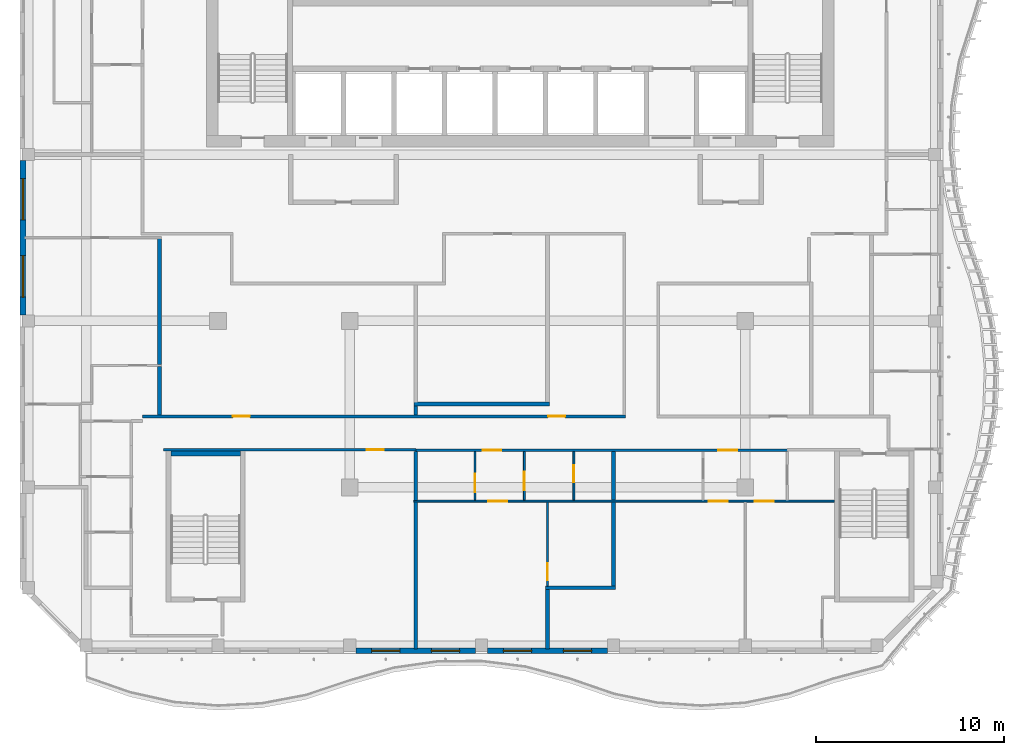
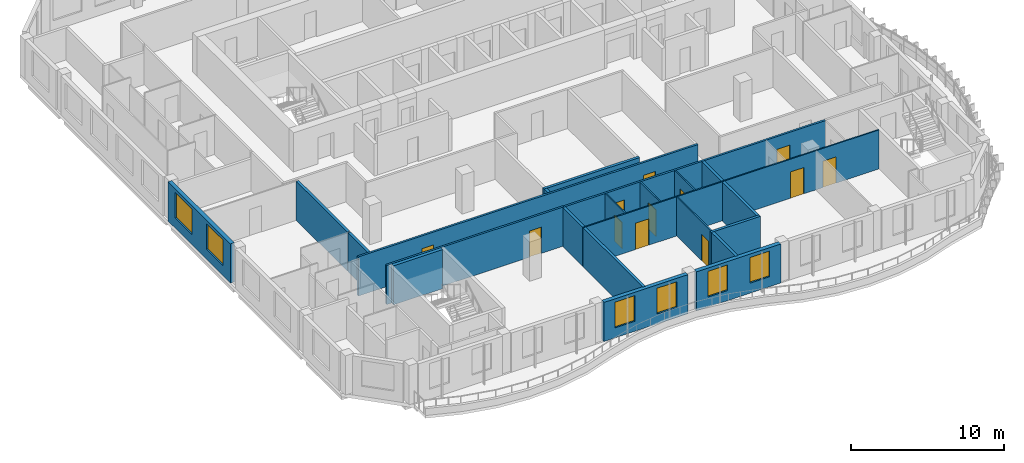
# One storey, part 3 of 18: 22 walls, 12 doors, 6 windows, 18 openings.
"""IFC4 building model written with IfcOpenShell, lengths in metres."""

from ifc_helpers import new_model, si_unit, direction, frame, frame_2d, origin, place, context, subcontext, project, spatial, rectangle, extrude, source, transform, mapped, material, layer, layer_set, type_object, element, fill, save


model = new_model("IFC4")

# Units and contexts
model_context = context("Model", 3, precision=1e-05, world=origin(), true_north=direction((0.0, 1.0)))
body_context = subcontext(model_context, "Body", "Model", "MODEL_VIEW")
ifc_project = project(units=[si_unit("LENGTHUNIT", "METRE"), si_unit("AREAUNIT", "SQUARE_METRE"), si_unit("VOLUMEUNIT", "CUBIC_METRE"), si_unit("PLANEANGLEUNIT", "RADIAN"), si_unit("MASSUNIT", "GRAM", prefix="KILO")], contexts=[model_context])

# Site, building, storey
site_placement = place(None, origin())
site = spatial("IfcSite", under=ifc_project, at=site_placement, CompositionType="ELEMENT")
building_placement = place(site_placement, origin())
building = spatial("IfcBuilding", under=site, at=building_placement, Name="Kilnfold Tower and Market Hall", CompositionType="ELEMENT")
storey_placement = place(building_placement, frame((0.0, 0.0, 270.39990234375)))
storey = spatial("IfcBuildingStorey", under=building, at=storey_placement, Name="L66", CompositionType="ELEMENT", Elevation=270.39990234375)

# Wall, openings, doors
ifc_material_1 = material(Name="Gypsum board on steel studs", Category="steel")
ifc_layer_1 = layer(ifc_material_1, 0.14990234375)
ifc_layer_set_1 = layer_set([ifc_layer_1], Name="Gypsum board on steel studs")
wall_type_1 = type_object("IfcWallType", Name="WALL CORRIDOR 150", PredefinedType="PARTITIONING", material=ifc_layer_set_1)
wall_1_placement = place(storey_placement, frame((-19.0, -5.89990234375, 0.0), z_axis=(0.0, 0.0, 1.0), x_axis=(1.0, 0.0, 0.0)))
wall_1 = element("IfcWall", 1, at=wall_1_placement, inside=storey, type_object=wall_type_1, Name="Partition LY41.6", PredefinedType="PARTITIONING", context=body_context, shape_type="SweptSolid", body=[
    extrude(rectangle(XDim=25.655029296875, YDim=0.14990234375, at=frame_2d((12.82763671875, 0.0))), origin(), (0.0, 0.0, 1.0), 3.1201171875),
])
opening_1_placement = place(wall_1_placement, frame((4.7958984375, 0.0, 0.0)))
opening_1 = element("IfcOpeningElement", 2, at=opening_1_placement, cuts=wall_1, Name="Opening D2", PredefinedType="OPENING", context=body_context, shape_type="SweptSolid", body=[
    extrude(rectangle(XDim=0.89990234375, YDim=2.10009765625, at=frame_2d((0.449951171875, 1.050048828125))), frame((0.0, 0.0849609375, 0.0), z_axis=(0.0, -1.0, 0.0), x_axis=(1.0, 0.0, 0.0)), (0.0, 0.0, 1.0), 0.169921875),
])
opening_2_placement = place(wall_1_placement, frame((21.534912109375, 0.0, 0.0)))
opening_2 = element("IfcOpeningElement", 3, at=opening_2_placement, cuts=wall_1, Name="Opening D2", PredefinedType="OPENING", context=body_context, shape_type="SweptSolid", body=[
    extrude(rectangle(XDim=0.89990234375, YDim=2.10009765625, at=frame_2d((0.449951171875, 1.050048828125))), frame((0.0, 0.0849609375, 0.0), z_axis=(0.0, -1.0, 0.0), x_axis=(1.0, 0.0, 0.0)), (0.0, 0.0, 1.0), 0.169921875),
])
ifc_material_2 = material(Name="Timber veneer door leaf in steel frame", Category="steel")
door_type_1 = type_object("IfcDoorType", Name="DOOR ROOM 900 X2100", OperationType="NOTDEFINED", PredefinedType="DOOR", material=ifc_material_2)
door_1_placement = place(opening_1_placement, origin())
door_1 = element("IfcDoor", 4, at=door_1_placement, inside=storey, type_object=door_type_1, Name="Door D2", OperationType="SINGLE_SWING_LEFT", OverallHeight=2.10009765625, OverallWidth=0.89990234375, PredefinedType="DOOR", context=body_context, shape_type="SweptSolid", body=[
    extrude(rectangle(XDim=0.89990234375, YDim=2.10009765625, at=frame_2d((0.449951171875, 1.050048828125))), frame((0.0, 0.02490234375, 0.0), z_axis=(0.0, -1.0, 0.0), x_axis=(1.0, 0.0, 0.0)), (0.0, 0.0, 1.0), 0.050048828125),
])
fill(opening_1, door_1)
door_2_placement = place(opening_2_placement, origin())
door_2 = element("IfcDoor", 5, at=door_2_placement, inside=storey, type_object=door_type_1, Name="Door D2", OperationType="SINGLE_SWING_LEFT", OverallHeight=2.10009765625, OverallWidth=0.89990234375, PredefinedType="DOOR", context=body_context, shape_type="SweptSolid", body=[
    extrude(rectangle(XDim=0.89990234375, YDim=2.10009765625, at=frame_2d((0.449951171875, 1.050048828125))), frame((0.0, 0.02490234375, 0.0), z_axis=(0.0, -1.0, 0.0), x_axis=(1.0, 0.0, 0.0)), (0.0, 0.0, 1.0), 0.050048828125),
])
fill(opening_2, door_2)

# Wall, opening, door
wall_2_placement = place(storey_placement, frame((-17.875, -7.669921875, 0.0), z_axis=(0.0, 0.0, 1.0), x_axis=(1.0, 0.0, 0.0)))
wall_2 = element("IfcWall", 6, at=wall_2_placement, inside=storey, type_object=wall_type_1, Name="Partition LY41.9", PredefinedType="PARTITIONING", context=body_context, shape_type="SweptSolid", body=[
    extrude(rectangle(XDim=13.385009765625, YDim=0.14990234375, at=frame_2d((6.6923828125, 0.0))), origin(), (0.0, 0.0, 1.0), 3.1201171875),
])
opening_3_placement = place(wall_2_placement, frame((10.77392578125, 0.0, 0.0)))
opening_3 = element("IfcOpeningElement", 7, at=opening_3_placement, cuts=wall_2, Name="Opening D2", PredefinedType="OPENING", context=body_context, shape_type="SweptSolid", body=[
    extrude(rectangle(XDim=0.89990234375, YDim=2.10009765625, at=frame_2d((0.449951171875, 1.050048828125))), frame((0.0, 0.0849609375, 0.0), z_axis=(0.0, -1.0, 0.0), x_axis=(1.0, 0.0, 0.0)), (0.0, 0.0, 1.0), 0.169921875),
])
door_3_placement = place(opening_3_placement, origin())
door_3 = element("IfcDoor", 8, at=door_3_placement, inside=storey, type_object=door_type_1, Name="Door D2", OperationType="SINGLE_SWING_RIGHT", OverallHeight=2.10009765625, OverallWidth=0.89990234375, PredefinedType="DOOR", context=body_context, shape_type="SweptSolid", body=[
    extrude(rectangle(XDim=0.89990234375, YDim=2.10009765625, at=frame_2d((0.449951171875, 1.050048828125))), frame((0.0, 0.02490234375, 0.0), z_axis=(0.0, -1.0, 0.0), x_axis=(1.0, 0.0, 0.0)), (0.0, 0.0, 1.0), 0.050048828125),
])
fill(opening_3, door_3)

# Wall, openings, doors
wall_3_placement = place(storey_placement, frame((-4.510009765625, -7.699951171875, 0.0), z_axis=(0.0, 0.0, 1.0), x_axis=(1.0, 0.0, 0.0)))
wall_3 = element("IfcWall", 9, at=wall_3_placement, inside=storey, type_object=wall_type_1, Name="Partition LY41.15", PredefinedType="PARTITIONING", context=body_context, shape_type="SweptSolid", body=[
    extrude(rectangle(XDim=19.760009765625, YDim=0.14990234375, at=frame_2d((9.8798828125, 0.0))), origin(), (0.0, 0.0, 1.0), 3.1201171875),
])
opening_4_placement = place(wall_3_placement, frame((3.56591796875, 0.0, 0.0)))
opening_4 = element("IfcOpeningElement", 10, at=opening_4_placement, cuts=wall_3, Name="Opening D1", PredefinedType="OPENING", context=body_context, shape_type="SweptSolid", body=[
    extrude(rectangle(XDim=1.0, YDim=2.10009765625, at=frame_2d((0.5, 1.050048828125))), frame((0.0, 0.0849609375, 0.0), z_axis=(0.0, -1.0, 0.0), x_axis=(1.0, 0.0, 0.0)), (0.0, 0.0, 1.0), 0.169921875),
])
opening_5_placement = place(wall_3_placement, frame((16.080078125, 0.0, 0.0)))
opening_5 = element("IfcOpeningElement", 11, at=opening_5_placement, cuts=wall_3, Name="Opening D1", PredefinedType="OPENING", context=body_context, shape_type="SweptSolid", body=[
    extrude(rectangle(XDim=1.0, YDim=2.10009765625, at=frame_2d((0.5, 1.050048828125))), frame((0.0, 0.0849609375, 0.0), z_axis=(0.0, -1.0, 0.0), x_axis=(1.0, 0.0, 0.0)), (0.0, 0.0, 1.0), 0.169921875),
])
ifc_material_3 = material(Name="Timber veneer door leaf in steel frame", Category="steel")
door_type_2 = type_object("IfcDoorType", Name="DOOR ENTRY 1000 X2100", OperationType="NOTDEFINED", PredefinedType="DOOR", material=ifc_material_3)
door_4_placement = place(opening_4_placement, origin())
door_4 = element("IfcDoor", 12, at=door_4_placement, inside=storey, type_object=door_type_2, Name="Door D1", OperationType="SINGLE_SWING_LEFT", OverallHeight=2.10009765625, OverallWidth=1.0, PredefinedType="DOOR", context=body_context, shape_type="SweptSolid", body=[
    extrude(rectangle(XDim=1.0, YDim=2.10009765625, at=frame_2d((0.5, 1.050048828125))), frame((0.0, 0.02490234375, 0.0), z_axis=(0.0, -1.0, 0.0), x_axis=(1.0, 0.0, 0.0)), (0.0, 0.0, 1.0), 0.050048828125),
])
fill(opening_4, door_4)
door_5_placement = place(opening_5_placement, origin())
door_5 = element("IfcDoor", 13, at=door_5_placement, inside=storey, type_object=door_type_2, Name="Door D1", OperationType="SINGLE_SWING_LEFT", OverallHeight=2.10009765625, OverallWidth=1.0, PredefinedType="DOOR", context=body_context, shape_type="SweptSolid", body=[
    extrude(rectangle(XDim=1.0, YDim=2.10009765625, at=frame_2d((0.5, 1.050048828125))), frame((0.0, 0.02490234375, 0.0), z_axis=(0.0, -1.0, 0.0), x_axis=(1.0, 0.0, 0.0)), (0.0, 0.0, 1.0), 0.050048828125),
])
fill(opening_5, door_5)

# Wall, opening, door
ifc_material_4 = material(Name="Gypsum board on steel studs", Category="steel")
ifc_layer_2 = layer(ifc_material_4, 0.10009765625)
ifc_layer_set_2 = layer_set([ifc_layer_2], Name="Gypsum board on steel studs")
wall_type_2 = type_object("IfcWallType", Name="WALL PARTITION 100", PredefinedType="PARTITIONING", material=ifc_layer_set_2)
wall_4_placement = place(storey_placement, frame((-1.35009765625, -10.35009765625, 0.0), z_axis=(0.0, 0.0, 1.0), x_axis=(0.0, 1.0, 0.0)))
wall_4 = element("IfcWall", 14, at=wall_4_placement, inside=storey, type_object=wall_type_2, Name="Partition LY41.57", PredefinedType="PARTITIONING", context=body_context, shape_type="SweptSolid", body=[
    extrude(rectangle(XDim=2.572998046875, YDim=0.10009765625, at=frame_2d((1.28662109375, 0.0))), origin(), (0.0, 0.0, 1.0), 3.1201171875),
])
opening_6_placement = place(wall_4_placement, frame((0.4130859375, 0.0, 0.0)))
opening_6 = element("IfcOpeningElement", 15, at=opening_6_placement, cuts=wall_4, Name="Opening D1", PredefinedType="OPENING", context=body_context, shape_type="SweptSolid", body=[
    extrude(rectangle(XDim=1.0, YDim=2.10009765625, at=frame_2d((0.5, 1.050048828125))), frame((0.0, 0.06005859375, 0.0), z_axis=(0.0, -1.0, 0.0), x_axis=(1.0, 0.0, 0.0)), (0.0, 0.0, 1.0), 0.1201171875),
])
door_6_placement = place(opening_6_placement, origin())
door_6 = element("IfcDoor", 16, at=door_6_placement, inside=storey, type_object=door_type_2, Name="Door D1", OperationType="SINGLE_SWING_RIGHT", OverallHeight=2.10009765625, OverallWidth=1.0, PredefinedType="DOOR", context=body_context, shape_type="SweptSolid", body=[
    extrude(rectangle(XDim=1.0, YDim=2.10009765625, at=frame_2d((0.5, 1.050048828125))), frame((0.0, 0.02490234375, 0.0), z_axis=(0.0, -1.0, 0.0), x_axis=(1.0, 0.0, 0.0)), (0.0, 0.0, 1.0), 0.050048828125),
])
fill(opening_6, door_6)

# Wall, openings, doors
wall_5_placement = place(storey_placement, frame((-4.60009765625, -10.39990234375, 0.0), z_axis=(0.0, 0.0, 1.0), x_axis=(1.0, 0.0, 0.0)))
wall_5 = element("IfcWall", 17, at=wall_5_placement, inside=storey, type_object=wall_type_2, Name="Partition LY41.58", PredefinedType="PARTITIONING", context=body_context, shape_type="SweptSolid", body=[
    extrude(rectangle(XDim=22.35009765625, YDim=0.10009765625, at=frame_2d((11.175048828125, 0.0))), origin(), (0.0, 0.0, 1.0), 3.1201171875),
])
opening_7_placement = place(wall_5_placement, frame((3.9599609375, 0.0, 0.0)))
opening_7 = element("IfcOpeningElement", 18, at=opening_7_placement, cuts=wall_5, Name="Opening D1", PredefinedType="OPENING", context=body_context, shape_type="SweptSolid", body=[
    extrude(rectangle(XDim=1.0, YDim=2.10009765625, at=frame_2d((0.5, 1.050048828125))), frame((0.0, 0.06005859375, 0.0), z_axis=(0.0, -1.0, 0.0), x_axis=(1.0, 0.0, 0.0)), (0.0, 0.0, 1.0), 0.1201171875),
])
opening_8_placement = place(wall_5_placement, frame((15.666015625, 0.0, 0.0)))
opening_8 = element("IfcOpeningElement", 19, at=opening_8_placement, cuts=wall_5, Name="Opening D1", PredefinedType="OPENING", context=body_context, shape_type="SweptSolid", body=[
    extrude(rectangle(XDim=1.0, YDim=2.10009765625, at=frame_2d((0.5, 1.050048828125))), frame((0.0, 0.06005859375, 0.0), z_axis=(0.0, -1.0, 0.0), x_axis=(1.0, 0.0, 0.0)), (0.0, 0.0, 1.0), 0.1201171875),
])
opening_9_placement = place(wall_5_placement, frame((18.10888671875, 0.0, 0.0)))
opening_9 = element("IfcOpeningElement", 20, at=opening_9_placement, cuts=wall_5, Name="Opening D1", PredefinedType="OPENING", context=body_context, shape_type="SweptSolid", body=[
    extrude(rectangle(XDim=1.0, YDim=2.10009765625, at=frame_2d((0.5, 1.050048828125))), frame((0.0, 0.06005859375, 0.0), z_axis=(0.0, -1.0, 0.0), x_axis=(1.0, 0.0, 0.0)), (0.0, 0.0, 1.0), 0.1201171875),
])
door_7_placement = place(opening_7_placement, origin())
door_7 = element("IfcDoor", 21, at=door_7_placement, inside=storey, type_object=door_type_2, Name="Door D1", OperationType="SINGLE_SWING_RIGHT", OverallHeight=2.10009765625, OverallWidth=1.0, PredefinedType="DOOR", context=body_context, shape_type="SweptSolid", body=[
    extrude(rectangle(XDim=1.0, YDim=2.10009765625, at=frame_2d((0.5, 1.050048828125))), frame((0.0, 0.02490234375, 0.0), z_axis=(0.0, -1.0, 0.0), x_axis=(1.0, 0.0, 0.0)), (0.0, 0.0, 1.0), 0.050048828125),
])
fill(opening_7, door_7)
door_8_placement = place(opening_8_placement, origin())
door_8 = element("IfcDoor", 22, at=door_8_placement, inside=storey, type_object=door_type_2, Name="Door D1", OperationType="SINGLE_SWING_RIGHT", OverallHeight=2.10009765625, OverallWidth=1.0, PredefinedType="DOOR", context=body_context, shape_type="SweptSolid", body=[
    extrude(rectangle(XDim=1.0, YDim=2.10009765625, at=frame_2d((0.5, 1.050048828125))), frame((0.0, 0.02490234375, 0.0), z_axis=(0.0, -1.0, 0.0), x_axis=(1.0, 0.0, 0.0)), (0.0, 0.0, 1.0), 0.050048828125),
])
fill(opening_8, door_8)
door_9_placement = place(opening_9_placement, origin())
door_9 = element("IfcDoor", 23, at=door_9_placement, inside=storey, type_object=door_type_2, Name="Door D1", OperationType="SINGLE_SWING_RIGHT", OverallHeight=2.10009765625, OverallWidth=1.0, PredefinedType="DOOR", context=body_context, shape_type="SweptSolid", body=[
    extrude(rectangle(XDim=1.0, YDim=2.10009765625, at=frame_2d((0.5, 1.050048828125))), frame((0.0, 0.02490234375, 0.0), z_axis=(0.0, -1.0, 0.0), x_axis=(1.0, 0.0, 0.0)), (0.0, 0.0, 1.0), 0.050048828125),
])
fill(opening_9, door_9)

# Wall, opening, door
wall_6_placement = place(storey_placement, frame((1.27490234375, -10.35009765625, 0.0), z_axis=(0.0, 0.0, 1.0), x_axis=(0.0, 1.0, 0.0)))
wall_6 = element("IfcWall", 24, at=wall_6_placement, inside=storey, type_object=wall_type_2, Name="Partition LY41.59", PredefinedType="PARTITIONING", context=body_context, shape_type="SweptSolid", body=[
    extrude(rectangle(XDim=2.572998046875, YDim=0.10009765625, at=frame_2d((1.28662109375, 0.0))), origin(), (0.0, 0.0, 1.0), 3.1201171875),
])
opening_10_placement = place(wall_6_placement, frame((0.52001953125, 0.0, 0.0)))
opening_10 = element("IfcOpeningElement", 25, at=opening_10_placement, cuts=wall_6, Name="Opening D1", PredefinedType="OPENING", context=body_context, shape_type="SweptSolid", body=[
    extrude(rectangle(XDim=1.0, YDim=2.10009765625, at=frame_2d((0.5, 1.050048828125))), frame((0.0, 0.06005859375, 0.0), z_axis=(0.0, -1.0, 0.0), x_axis=(1.0, 0.0, 0.0)), (0.0, 0.0, 1.0), 0.1201171875),
])
door_10_placement = place(opening_10_placement, origin())
door_10 = element("IfcDoor", 26, at=door_10_placement, inside=storey, type_object=door_type_2, Name="Door D1", OperationType="SINGLE_SWING_RIGHT", OverallHeight=2.10009765625, OverallWidth=1.0, PredefinedType="DOOR", context=body_context, shape_type="SweptSolid", body=[
    extrude(rectangle(XDim=1.0, YDim=2.10009765625, at=frame_2d((0.5, 1.050048828125))), frame((0.0, 0.02490234375, 0.0), z_axis=(0.0, -1.0, 0.0), x_axis=(1.0, 0.0, 0.0)), (0.0, 0.0, 1.0), 0.050048828125),
])
fill(opening_10, door_10)

wall_7_placement = place(storey_placement, frame((3.89990234375, -10.35009765625, 0.0), z_axis=(0.0, 0.0, 1.0), x_axis=(0.0, 1.0, 0.0)))
wall_7 = element("IfcWall", 27, at=wall_7_placement, inside=storey, type_object=wall_type_2, Name="Partition LY41.60", PredefinedType="PARTITIONING", context=body_context, shape_type="SweptSolid", body=[
    extrude(rectangle(XDim=2.572998046875, YDim=0.10009765625, at=frame_2d((1.28662109375, 0.0))), origin(), (0.0, 0.0, 1.0), 3.1201171875),
])
opening_11_placement = place(wall_7_placement, frame((0.943115234375, 0.0, 0.0)))
opening_11 = element("IfcOpeningElement", 28, at=opening_11_placement, cuts=wall_7, Name="Opening D2", PredefinedType="OPENING", context=body_context, shape_type="SweptSolid", body=[
    extrude(rectangle(XDim=0.89990234375, YDim=2.10009765625, at=frame_2d((0.449951171875, 1.050048828125))), frame((0.0, 0.06005859375, 0.0), z_axis=(0.0, -1.0, 0.0), x_axis=(1.0, 0.0, 0.0)), (0.0, 0.0, 1.0), 0.1201171875),
])
door_11_placement = place(opening_11_placement, origin())
door_11 = element("IfcDoor", 29, at=door_11_placement, inside=storey, type_object=door_type_1, Name="Door D2", OperationType="SINGLE_SWING_RIGHT", OverallHeight=2.10009765625, OverallWidth=0.89990234375, PredefinedType="DOOR", context=body_context, shape_type="SweptSolid", body=[
    extrude(rectangle(XDim=0.89990234375, YDim=2.10009765625, at=frame_2d((0.449951171875, 1.050048828125))), frame((0.0, 0.02490234375, 0.0), z_axis=(0.0, -1.0, 0.0), x_axis=(1.0, 0.0, 0.0)), (0.0, 0.0, 1.0), 0.050048828125),
])
fill(opening_11, door_11)

wall_8_placement = place(storey_placement, frame((2.5, -14.909912109375, 0.0), z_axis=(0.0, 0.0, 1.0), x_axis=(0.0, 1.0, 0.0)))
wall_8 = element("IfcWall", 30, at=wall_8_placement, inside=storey, type_object=wall_type_2, Name="Partition LY41.62", PredefinedType="PARTITIONING", context=body_context, shape_type="SweptSolid", body=[
    extrude(rectangle(XDim=4.4580078125, YDim=0.10009765625, at=frame_2d((2.22900390625, 0.0))), origin(), (0.0, 0.0, 1.0), 3.1201171875),
])
opening_12_placement = place(wall_8_placement, frame((0.302001953125, 0.0, 0.0)))
opening_12 = element("IfcOpeningElement", 31, at=opening_12_placement, cuts=wall_8, Name="Opening D2", PredefinedType="OPENING", context=body_context, shape_type="SweptSolid", body=[
    extrude(rectangle(XDim=0.89990234375, YDim=2.10009765625, at=frame_2d((0.449951171875, 1.050048828125))), frame((0.0, 0.06005859375, 0.0), z_axis=(0.0, -1.0, 0.0), x_axis=(1.0, 0.0, 0.0)), (0.0, 0.0, 1.0), 0.1201171875),
])
door_12_placement = place(opening_12_placement, origin())
door_12 = element("IfcDoor", 32, at=door_12_placement, inside=storey, type_object=door_type_1, Name="Door D2", OperationType="SINGLE_SWING_RIGHT", OverallHeight=2.10009765625, OverallWidth=0.89990234375, PredefinedType="DOOR", context=body_context, shape_type="SweptSolid", body=[
    extrude(rectangle(XDim=0.89990234375, YDim=2.10009765625, at=frame_2d((0.449951171875, 1.050048828125))), frame((0.0, 0.02490234375, 0.0), z_axis=(0.0, -1.0, 0.0), x_axis=(1.0, 0.0, 0.0)), (0.0, 0.0, 1.0), 0.050048828125),
])
fill(opening_12, door_12)

# Walls
ifc_material_5 = material(Name="Gypsum board on steel studs", Category="steel")
ifc_layer_3 = layer(ifc_material_5, 0.199951171875)
ifc_layer_set_3 = layer_set([ifc_layer_3], Name="Gypsum board on steel studs")
wall_type_3 = type_object("IfcWallType", Name="WALL PARTY 200", PredefinedType="PARTITIONING", material=ifc_layer_set_3)
wall_9_placement = place(storey_placement, frame((-18.10009765625, -5.822998046875, 0.0), z_axis=(0.0, 0.0, 1.0), x_axis=(0.0, 1.0, 0.0)))
element("IfcWall", 33, at=wall_9_placement, inside=storey, type_object=wall_type_3, Name="Partition LY41.49", PredefinedType="PARTITIONING", context=body_context, shape_type="SweptSolid", body=[
    extrude(rectangle(XDim=2.572998046875, YDim=0.199951171875, at=frame_2d((1.28662109375, 0.0))), origin(), (0.0, 0.0, 1.0), 3.1201171875),
])
wall_10_placement = place(storey_placement, frame((-18.10009765625, -3.14794921875, 0.0), z_axis=(0.0, 0.0, 1.0), x_axis=(0.0, 1.0, 0.0)))
element("IfcWall", 34, at=wall_10_placement, inside=storey, type_object=wall_type_3, Name="Partition LY41.53", PredefinedType="PARTITIONING", context=body_context, shape_type="SweptSolid", body=[
    extrude(rectangle(XDim=6.680908203125, YDim=0.199951171875, at=frame_2d((3.34033203125, 0.0))), origin(), (0.0, 0.0, 1.0), 3.1201171875),
])
wall_11_placement = place(storey_placement, frame((-4.5, -10.360107421875, 0.0), z_axis=(0.0, 0.0, 1.0), x_axis=(0.0, 1.0, 0.0)))
element("IfcWall", 35, at=wall_11_placement, inside=storey, type_object=wall_type_3, Name="Partition LY41.55", PredefinedType="PARTITIONING", context=body_context, shape_type="SweptSolid", body=[
    extrude(rectangle(XDim=2.5830078125, YDim=0.199951171875, at=frame_2d((1.29150390625, 0.0))), origin(), (0.0, 0.0, 1.0), 3.1201171875),
])
wall_12_placement = place(storey_placement, frame((-4.5, -18.25, 0.0), z_axis=(0.0, 0.0, 1.0), x_axis=(0.0, 1.0, 0.0)))
element("IfcWall", 36, at=wall_12_placement, inside=storey, type_object=wall_type_3, Name="Partition LY41.56", PredefinedType="PARTITIONING", context=body_context, shape_type="SweptSolid", body=[
    extrude(rectangle(XDim=7.80810546875, YDim=0.199951171875, at=frame_2d((3.904052734375, 0.0))), origin(), (0.0, 0.0, 1.0), 3.1201171875),
])
wall_13_placement = place(storey_placement, frame((6.0, -10.35009765625, 0.0), z_axis=(0.0, 0.0, 1.0), x_axis=(0.0, 1.0, 0.0)))
element("IfcWall", 37, at=wall_13_placement, inside=storey, type_object=wall_type_3, Name="Partition LY41.61", PredefinedType="PARTITIONING", context=body_context, shape_type="SweptSolid", body=[
    extrude(rectangle(XDim=2.572998046875, YDim=0.199951171875, at=frame_2d((1.28662109375, 0.0))), origin(), (0.0, 0.0, 1.0), 3.1201171875),
])
wall_14_placement = place(storey_placement, frame((2.5, -18.25, 0.0), z_axis=(0.0, 0.0, 1.0), x_axis=(0.0, 1.0, 0.0)))
element("IfcWall", 38, at=wall_14_placement, inside=storey, type_object=wall_type_3, Name="Partition LY41.63", PredefinedType="PARTITIONING", context=body_context, shape_type="SweptSolid", body=[
    extrude(rectangle(XDim=3.159912109375, YDim=0.199951171875, at=frame_2d((1.580078125, 0.0))), origin(), (0.0, 0.0, 1.0), 3.1201171875),
])
wall_15_placement = place(storey_placement, frame((2.39990234375, -15.0, 0.0), z_axis=(0.0, 0.0, 1.0), x_axis=(1.0, 0.0, 0.0)))
element("IfcWall", 39, at=wall_15_placement, inside=storey, type_object=wall_type_3, Name="Partition LY41.64", PredefinedType="PARTITIONING", context=body_context, shape_type="SweptSolid", body=[
    extrude(rectangle(XDim=3.7001953125, YDim=0.199951171875, at=frame_2d((1.85009765625, 0.0))), origin(), (0.0, 0.0, 1.0), 3.1201171875),
])
wall_16_placement = place(storey_placement, frame((6.0, -14.89990234375, 0.0), z_axis=(0.0, 0.0, 1.0), x_axis=(0.0, 1.0, 0.0)))
element("IfcWall", 40, at=wall_16_placement, inside=storey, type_object=wall_type_3, Name="Partition LY41.65", PredefinedType="PARTITIONING", context=body_context, shape_type="SweptSolid", body=[
    extrude(rectangle(XDim=4.447998046875, YDim=0.199951171875, at=frame_2d((2.22412109375, 0.0))), origin(), (0.0, 0.0, 1.0), 3.1201171875),
])
wall_17_placement = place(storey_placement, frame((-4.5, -5.822998046875, 0.0), z_axis=(0.0, 0.0, 1.0), x_axis=(0.0, 1.0, 0.0)))
element("IfcWall", 41, at=wall_17_placement, inside=storey, type_object=wall_type_3, Name="Partition LY41.96", PredefinedType="PARTITIONING", context=body_context, shape_type="SweptSolid", body=[
    extrude(rectangle(XDim=0.48291015625, YDim=0.199951171875, at=frame_2d((0.241455078125, 0.0))), origin(), (0.0, 0.0, 1.0), 3.1201171875),
])
wall_18_placement = place(storey_placement, frame((-4.60009765625, -5.25, 0.0), z_axis=(0.0, 0.0, 1.0), x_axis=(1.0, 0.0, 0.0)))
element("IfcWall", 42, at=wall_18_placement, inside=storey, type_object=wall_type_3, Name="Partition LY41.98", PredefinedType="PARTITIONING", context=body_context, shape_type="SweptSolid", body=[
    extrude(rectangle(XDim=7.2001953125, YDim=0.199951171875, at=frame_2d((3.60009765625, 0.0))), origin(), (0.0, 0.0, 1.0), 3.1201171875),
])
ifc_material_6 = material(Name="Concrete C50", Category="concrete")
ifc_layer_4 = layer(ifc_material_6, 0.25)
ifc_layer_set_4 = layer_set([ifc_layer_4], Name="Concrete C50")
wall_type_4 = type_object("IfcWallType", Name="CORE WALL 250 C50", PredefinedType="SHEAR", material=ifc_layer_set_4)
shared_shape_1 = source(origin(), body_context, "Body", "SweptSolid", [
    extrude(rectangle(XDim=3.699951171875, YDim=0.25, at=frame_2d((1.85009765625, 0.0))), origin(), (0.0, 0.0, 1.0), 3.1201171875),
])
wall_19_placement = place(storey_placement, frame((-17.5, -7.875, 0.0), z_axis=(0.0, 0.0, 1.0), x_axis=(1.0, 0.0, 0.0)))
element("IfcWall", 43, at=wall_19_placement, inside=storey, type_object=wall_type_4, Name="Stair enclosure ST3", PredefinedType="SHEAR", context=body_context, shape_type="MappedRepresentation", body=[
    mapped(shared_shape_1, transform((0.0, 0.0, 0.0))),
])

# Wall, openings, windows
ifc_material_7 = material(Name="Precast concrete C50/60", Category="concrete")
ifc_layer_5 = layer(ifc_material_7, 0.300048828125)
ifc_layer_set_5 = layer_set([ifc_layer_5], Name="Precast concrete C50/60")
wall_type_5 = type_object("IfcWallType", Name="PRECAST WALL 300", PredefinedType="SOLIDWALL", material=ifc_layer_set_5)
shared_shape_2 = source(origin(), body_context, "Body", "SweptSolid", [
    extrude(rectangle(XDim=6.35009765625, YDim=0.300048828125, at=frame_2d((3.175048828125, 0.0))), origin(), (0.0, 0.0, 1.0), 3.1201171875),
])
wall_20_placement = place(storey_placement, frame((-7.675048828125, -18.35009765625, 0.0), z_axis=(0.0, 0.0, 1.0), x_axis=(1.0, 0.0, 0.0)))
wall_20 = element("IfcWall", 44, at=wall_20_placement, inside=storey, type_object=wall_type_5, Name="External wall L66 S", PredefinedType="SOLIDWALL", context=body_context, shape_type="MappedRepresentation", body=[
    mapped(shared_shape_2, transform((0.0, 0.0, 0.0))),
])
opening_13_placement = place(wall_20_placement, frame((0.83740234375, 0.0, 0.800048828125)))
opening_13 = element("IfcOpeningElement", 45, at=opening_13_placement, cuts=wall_20, Name="Opening W5", PredefinedType="OPENING", context=body_context, shape_type="SweptSolid", body=[
    extrude(rectangle(XDim=1.5, YDim=2.050048828125, at=frame_2d((0.75, 1.02490234375))), frame((0.0, 0.16015625, 0.0), z_axis=(0.0, -1.0, 0.0), x_axis=(1.0, 0.0, 0.0)), (0.0, 0.0, 1.0), 0.320068359375),
])
opening_14_placement = place(wall_20_placement, frame((4.012451171875, 0.0, 0.800048828125)))
opening_14 = element("IfcOpeningElement", 46, at=opening_14_placement, cuts=wall_20, Name="Opening W5", PredefinedType="OPENING", context=body_context, shape_type="SweptSolid", body=[
    extrude(rectangle(XDim=1.5, YDim=2.050048828125, at=frame_2d((0.75, 1.02490234375))), frame((0.0, 0.16015625, 0.0), z_axis=(0.0, -1.0, 0.0), x_axis=(1.0, 0.0, 0.0)), (0.0, 0.0, 1.0), 0.320068359375),
])
ifc_material_8 = material(Name="Aluminium frame and double glazing", Category="aluminium")
window_type_1 = type_object("IfcWindowType", Name="WINDOW W5 1500X2050", PartitioningType="SINGLE_PANEL", PredefinedType="WINDOW", material=ifc_material_8)
window_1_placement = place(opening_13_placement, origin())
window_1 = element("IfcWindow", 47, at=window_1_placement, inside=storey, type_object=window_type_1, Name="Window W5 L66 S-1", OverallHeight=2.050048828125, OverallWidth=1.5, PartitioningType="SINGLE_PANEL", PredefinedType="WINDOW", context=body_context, shape_type="SweptSolid", body=[
    extrude(rectangle(XDim=1.5, YDim=2.050048828125, at=frame_2d((0.75, 1.02490234375))), frame((0.0, 0.030029296875, 0.0), z_axis=(0.0, -1.0, 0.0), x_axis=(1.0, 0.0, 0.0)), (0.0, 0.0, 1.0), 0.06005859375),
])
fill(opening_13, window_1)
window_2_placement = place(opening_14_placement, origin())
window_2 = element("IfcWindow", 48, at=window_2_placement, inside=storey, type_object=window_type_1, Name="Window W5 L66 S-2", OverallHeight=2.050048828125, OverallWidth=1.5, PartitioningType="SINGLE_PANEL", PredefinedType="WINDOW", context=body_context, shape_type="SweptSolid", body=[
    extrude(rectangle(XDim=1.5, YDim=2.050048828125, at=frame_2d((0.75, 1.02490234375))), frame((0.0, 0.030029296875, 0.0), z_axis=(0.0, -1.0, 0.0), x_axis=(1.0, 0.0, 0.0)), (0.0, 0.0, 1.0), 0.06005859375),
])
fill(opening_14, window_2)

wall_21_placement = place(storey_placement, frame((-0.675048828125, -18.35009765625, 0.0), z_axis=(0.0, 0.0, 1.0), x_axis=(1.0, 0.0, 0.0)))
wall_21 = element("IfcWall", 49, at=wall_21_placement, inside=storey, type_object=wall_type_5, Name="External wall L66 S", PredefinedType="SOLIDWALL", context=body_context, shape_type="MappedRepresentation", body=[
    mapped(shared_shape_2, transform((0.0, 0.0, 0.0))),
])
opening_15_placement = place(wall_21_placement, frame((0.83740234375, 0.0, 0.800048828125)))
opening_15 = element("IfcOpeningElement", 50, at=opening_15_placement, cuts=wall_21, Name="Opening W5", PredefinedType="OPENING", context=body_context, shape_type="SweptSolid", body=[
    extrude(rectangle(XDim=1.5, YDim=2.050048828125, at=frame_2d((0.75, 1.02490234375))), frame((0.0, 0.16015625, 0.0), z_axis=(0.0, -1.0, 0.0), x_axis=(1.0, 0.0, 0.0)), (0.0, 0.0, 1.0), 0.320068359375),
])
opening_16_placement = place(wall_21_placement, frame((4.012451171875, 0.0, 0.800048828125)))
opening_16 = element("IfcOpeningElement", 51, at=opening_16_placement, cuts=wall_21, Name="Opening W5", PredefinedType="OPENING", context=body_context, shape_type="SweptSolid", body=[
    extrude(rectangle(XDim=1.5, YDim=2.050048828125, at=frame_2d((0.75, 1.02490234375))), frame((0.0, 0.16015625, 0.0), z_axis=(0.0, -1.0, 0.0), x_axis=(1.0, 0.0, 0.0)), (0.0, 0.0, 1.0), 0.320068359375),
])
window_3_placement = place(opening_15_placement, origin())
window_3 = element("IfcWindow", 52, at=window_3_placement, inside=storey, type_object=window_type_1, Name="Window W5 L66 S-1", OverallHeight=2.050048828125, OverallWidth=1.5, PartitioningType="SINGLE_PANEL", PredefinedType="WINDOW", context=body_context, shape_type="SweptSolid", body=[
    extrude(rectangle(XDim=1.5, YDim=2.050048828125, at=frame_2d((0.75, 1.02490234375))), frame((0.0, 0.030029296875, 0.0), z_axis=(0.0, -1.0, 0.0), x_axis=(1.0, 0.0, 0.0)), (0.0, 0.0, 1.0), 0.06005859375),
])
fill(opening_15, window_3)
window_4_placement = place(opening_16_placement, origin())
window_4 = element("IfcWindow", 53, at=window_4_placement, inside=storey, type_object=window_type_1, Name="Window W5 L66 S-2", OverallHeight=2.050048828125, OverallWidth=1.5, PartitioningType="SINGLE_PANEL", PredefinedType="WINDOW", context=body_context, shape_type="SweptSolid", body=[
    extrude(rectangle(XDim=1.5, YDim=2.050048828125, at=frame_2d((0.75, 1.02490234375))), frame((0.0, 0.030029296875, 0.0), z_axis=(0.0, -1.0, 0.0), x_axis=(1.0, 0.0, 0.0)), (0.0, 0.0, 1.0), 0.06005859375),
])
fill(opening_16, window_4)

shared_shape_3 = source(origin(), body_context, "Body", "SweptSolid", [
    extrude(rectangle(XDim=8.183349609375, YDim=0.300048828125, at=frame_2d((4.091796875, 0.0))), origin(), (0.0, 0.0, 1.0), 3.1201171875),
])
wall_22_placement = place(storey_placement, frame((-25.35009765625, 7.675048828125, 0.0), z_axis=(0.0, 0.0, 1.0), x_axis=(0.0, -1.0, 0.0)))
wall_22 = element("IfcWall", 54, at=wall_22_placement, inside=storey, type_object=wall_type_5, Name="External wall L66 W", PredefinedType="SOLIDWALL", context=body_context, shape_type="MappedRepresentation", body=[
    mapped(shared_shape_3, transform((0.0, 0.0, 0.0))),
])
opening_17_placement = place(wall_22_placement, frame((0.94580078125, 0.0, 0.800048828125)))
opening_17 = element("IfcOpeningElement", 55, at=opening_17_placement, cuts=wall_22, Name="Opening W3", PredefinedType="OPENING", context=body_context, shape_type="SweptSolid", body=[
    extrude(rectangle(XDim=2.199951171875, YDim=2.050048828125, at=frame_2d((1.10009765625, 1.02490234375))), frame((0.0, 0.16015625, 0.0), z_axis=(0.0, -1.0, 0.0), x_axis=(1.0, 0.0, 0.0)), (0.0, 0.0, 1.0), 0.320068359375),
])
opening_18_placement = place(wall_22_placement, frame((5.037353515625, 0.0, 0.800048828125)))
opening_18 = element("IfcOpeningElement", 56, at=opening_18_placement, cuts=wall_22, Name="Opening W3", PredefinedType="OPENING", context=body_context, shape_type="SweptSolid", body=[
    extrude(rectangle(XDim=2.199951171875, YDim=2.050048828125, at=frame_2d((1.10009765625, 1.02490234375))), frame((0.0, 0.16015625, 0.0), z_axis=(0.0, -1.0, 0.0), x_axis=(1.0, 0.0, 0.0)), (0.0, 0.0, 1.0), 0.320068359375),
])
ifc_material_9 = material(Name="Aluminium frame and double glazing", Category="aluminium")
window_type_2 = type_object("IfcWindowType", Name="WINDOW W3 2200X2050", PartitioningType="SINGLE_PANEL", PredefinedType="WINDOW", material=ifc_material_9)
window_5_placement = place(opening_17_placement, origin())
window_5 = element("IfcWindow", 57, at=window_5_placement, inside=storey, type_object=window_type_2, Name="Window W3 L66 W-1", OverallHeight=2.050048828125, OverallWidth=2.199951171875, PartitioningType="SINGLE_PANEL", PredefinedType="WINDOW", context=body_context, shape_type="SweptSolid", body=[
    extrude(rectangle(XDim=2.199951171875, YDim=2.050048828125, at=frame_2d((1.10009765625, 1.02490234375))), frame((0.0, 0.030029296875, 0.0), z_axis=(0.0, -1.0, 0.0), x_axis=(1.0, 0.0, 0.0)), (0.0, 0.0, 1.0), 0.06005859375),
])
fill(opening_17, window_5)
window_6_placement = place(opening_18_placement, origin())
window_6 = element("IfcWindow", 58, at=window_6_placement, inside=storey, type_object=window_type_2, Name="Window W3 L66 W-2", OverallHeight=2.050048828125, OverallWidth=2.199951171875, PartitioningType="SINGLE_PANEL", PredefinedType="WINDOW", context=body_context, shape_type="SweptSolid", body=[
    extrude(rectangle(XDim=2.199951171875, YDim=2.050048828125, at=frame_2d((1.10009765625, 1.02490234375))), frame((0.0, 0.030029296875, 0.0), z_axis=(0.0, -1.0, 0.0), x_axis=(1.0, 0.0, 0.0)), (0.0, 0.0, 1.0), 0.06005859375),
])
fill(opening_18, window_6)

save(model, "model.ifc")
